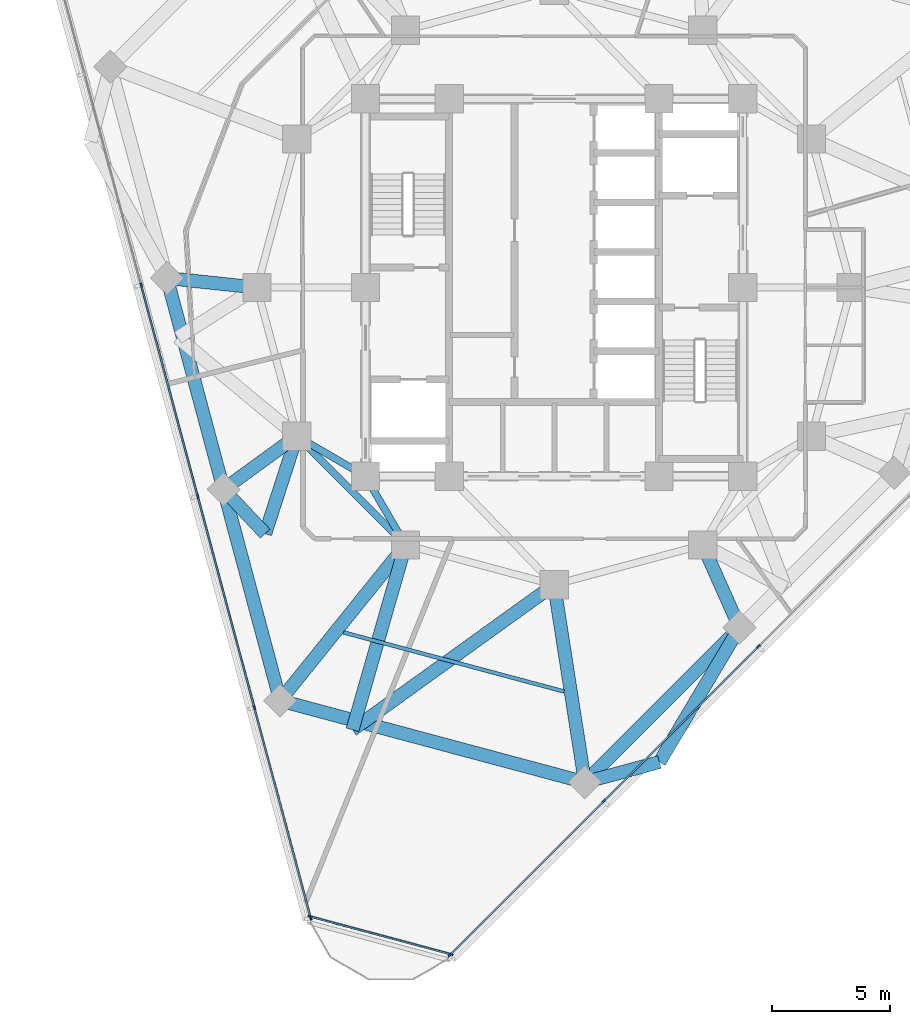
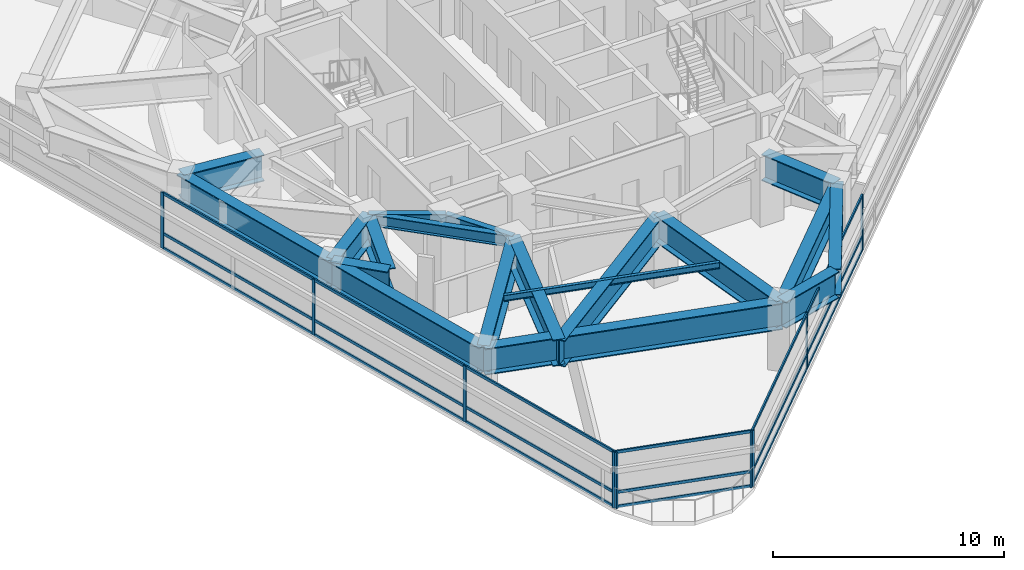
# One storey, part 2 of 15: 27 members, 19 beams, 3 elements without a shape of their own.
"""IFC4 building model written with IfcOpenShell, lengths in metres."""

from ifc_helpers import new_model, si_unit, direction, frame, origin, origin_2d, place, context, subcontext, project, spatial, rectangle, i_section, extrude, material, layer, layer_set, material_profile, profile_set, type_object, element, aggregate, save


model = new_model("IFC4")

# Units and contexts
model_context = context("Model", 3, precision=1e-05, world=origin(), true_north=direction((0.0, 1.0)))
body_context = subcontext(model_context, "Body", "Model", "MODEL_VIEW")
ifc_project = project(units=[si_unit("LENGTHUNIT", "METRE"), si_unit("AREAUNIT", "SQUARE_METRE"), si_unit("VOLUMEUNIT", "CUBIC_METRE"), si_unit("PLANEANGLEUNIT", "RADIAN"), si_unit("MASSUNIT", "GRAM", prefix="KILO")], contexts=[model_context])

# Site, building, storey
site_placement = place(None, origin())
site = spatial("IfcSite", under=ifc_project, at=site_placement, CompositionType="ELEMENT")
building_placement = place(site_placement, origin())
building = spatial("IfcBuilding", under=site, at=building_placement, Name="Terralouvre Media Tower", CompositionType="ELEMENT")
storey_placement = place(building_placement, frame((0.0, 0.0, 210.10009765625)))
storey = spatial("IfcBuildingStorey", under=building, at=storey_placement, Name="L54", CompositionType="ELEMENT", Elevation=210.10009765625)

# Beam
ifc_material_1 = material(Name="Structural steel S355J2", Category="steel")
ifc_material_profile_1 = material_profile(ifc_material_1, i_section(OverallWidth=0.159912109375, OverallDepth=0.330078125, WebThickness=0.007568359375, FlangeThickness=0.011474609375, at=origin_2d()), Name="IPE 330")
ifc_profile_set_1 = profile_set([ifc_material_profile_1], Name="Structural steel S355J2")
beam_type_1 = type_object("IfcBeamType", Name="Composite Floor Joist J-IPE330 (IPE 330)", PredefinedType="JOIST", material=ifc_profile_set_1)
beam_1_placement = place(storey_placement, frame((-8.930419921875, -14.620361328125, 3.294921875), z_axis=(0.965928809272, -0.258807912201, 0.0), x_axis=(0.258807912201, 0.965928809272, 0.0)))
element("IfcBeam", 1, at=beam_1_placement, inside=storey, type_object=beam_type_1, Name="L54 Framing Beam JT-L54-01", PredefinedType="JOIST", context=body_context, shape_type="SweptSolid", body=[
    extrude(i_section(OverallWidth=0.159912109375, OverallDepth=0.330078125, WebThickness=0.007568359375, FlangeThickness=0.011474609375, at=origin_2d()), origin(), (0.0, 0.0, 1.0), 9.68408203125),
])

# Curtain wall, members
ifc_material_2 = material(Name="Low-iron laminated double glazing with solar-control coating", Category="glass")
ifc_layer_1 = layer(ifc_material_2, 0.1650390625, Name="Production Studio Tower Curtain Wall CW-03")
ifc_layer_set_1 = layer_set([ifc_layer_1], Name="Low-iron laminated double glazing with solar-control coating")
curtain_wall_type_1 = type_object("IfcCurtainWallType", Name="Production Studio Tower Curtain Wall CW-03", PredefinedType="NOTDEFINED", material=ifc_layer_set_1)
curtain_wall_1_placement = place(storey_placement, origin())
curtain_wall_1 = element("IfcCurtainWall", 2, at=curtain_wall_1_placement, inside=storey, type_object=curtain_wall_type_1, Name="L54 Facade Curtain Wall F0", PredefinedType="NOTDEFINED")
ifc_material_3 = material(Name="Anodised extruded aluminium 6063-T6", Category="aluminium")
ifc_material_profile_2 = material_profile(ifc_material_3, rectangle(XDim=0.074951171875, YDim=0.14990234375, at=origin_2d()), Name="ALU 75x150")
ifc_profile_set_2 = profile_set([ifc_material_profile_2], Name="Anodised extruded aluminium 6063-T6")
member_type_1 = type_object("IfcMemberType", Name="Curtain-Wall Horizontal Transom TR-150", PredefinedType="USERDEFINED", material=ifc_profile_set_2)
member_1_placement = place(storey_placement, frame((-4.399658203125, -28.27587890625, 0.037353515625), z_axis=(0.707106781187, 0.707106781187, 0.0), x_axis=(-0.707106781187, 0.707106781187, 0.0)))
member_1 = element("IfcMember", 3, at=member_1_placement, type_object=member_type_1, Name="CW-03 transom 1.1", ObjectType="TRANSOM", PredefinedType="USERDEFINED", context=body_context, shape_type="SweptSolid", body=[
    extrude(rectangle(XDim=0.074951171875, YDim=0.14990234375, at=origin_2d()), origin(), (0.0, 0.0, 1.0), 9.15966796875),
])
member_2_placement = place(storey_placement, frame((-4.399658203125, -28.27587890625, 0.7998046875), z_axis=(0.707106781187, 0.707106781187, 0.0), x_axis=(-0.707106781187, 0.707106781187, 0.0)))
member_2 = element("IfcMember", 4, at=member_2_placement, type_object=member_type_1, Name="CW-03 transom 1.2", ObjectType="TRANSOM", PredefinedType="USERDEFINED", context=body_context, shape_type="SweptSolid", body=[
    extrude(rectangle(XDim=0.074951171875, YDim=0.14990234375, at=origin_2d()), origin(), (0.0, 0.0, 1.0), 9.15966796875),
])
member_3_placement = place(storey_placement, frame((-4.399658203125, -28.27587890625, 2.92236328125), z_axis=(0.707106781187, 0.707106781187, 0.0), x_axis=(-0.707106781187, 0.707106781187, 0.0)))
member_3 = element("IfcMember", 5, at=member_3_placement, type_object=member_type_1, Name="CW-03 transom 1.3", ObjectType="TRANSOM", PredefinedType="USERDEFINED", context=body_context, shape_type="SweptSolid", body=[
    extrude(rectangle(XDim=0.074951171875, YDim=0.14990234375, at=origin_2d()), origin(), (0.0, 0.0, 1.0), 9.15966796875),
])
member_4_placement = place(storey_placement, frame((2.130126953125, -21.74609375, 0.037353515625), z_axis=(0.707093508293, 0.707120053831, 0.0), x_axis=(-0.707120053831, 0.707093508293, 0.0)))
member_4 = element("IfcMember", 6, at=member_4_placement, type_object=member_type_1, Name="CW-03 transom 2.1", ObjectType="TRANSOM", PredefinedType="USERDEFINED", context=body_context, shape_type="SweptSolid", body=[
    extrude(rectangle(XDim=0.074951171875, YDim=0.14990234375, at=origin_2d()), origin(), (0.0, 0.0, 1.0), 9.197021484375),
])
member_5_placement = place(storey_placement, frame((2.130126953125, -21.74609375, 0.7998046875), z_axis=(0.707093508293, 0.707120053831, 0.0), x_axis=(-0.707120053831, 0.707093508293, 0.0)))
member_5 = element("IfcMember", 7, at=member_5_placement, type_object=member_type_1, Name="CW-03 transom 2.2", ObjectType="TRANSOM", PredefinedType="USERDEFINED", context=body_context, shape_type="SweptSolid", body=[
    extrude(rectangle(XDim=0.074951171875, YDim=0.14990234375, at=origin_2d()), origin(), (0.0, 0.0, 1.0), 9.197021484375),
])
member_6_placement = place(storey_placement, frame((2.130126953125, -21.74609375, 2.92236328125), z_axis=(0.707093508293, 0.707120053831, 0.0), x_axis=(-0.707120053831, 0.707093508293, 0.0)))
member_6 = element("IfcMember", 8, at=member_6_placement, type_object=member_type_1, Name="CW-03 transom 2.3", ObjectType="TRANSOM", PredefinedType="USERDEFINED", context=body_context, shape_type="SweptSolid", body=[
    extrude(rectangle(XDim=0.074951171875, YDim=0.14990234375, at=origin_2d()), origin(), (0.0, 0.0, 1.0), 9.197021484375),
])

curtain_wall_2_placement = place(storey_placement, origin())
curtain_wall_2 = element("IfcCurtainWall", 9, at=curtain_wall_2_placement, inside=storey, type_object=curtain_wall_type_1, Name="L54 Facade Curtain Wall F2", PredefinedType="NOTDEFINED")
member_7_placement = place(storey_placement, frame((-17.497802734375, 0.072265625, 0.037353515625), z_axis=(0.25881569625, -0.965926723605, 0.0), x_axis=(0.965926723605, 0.25881569625, 0.0)))
member_7 = element("IfcMember", 10, at=member_7_placement, type_object=member_type_1, Name="CW-03 transom 3.1", ObjectType="TRANSOM", PredefinedType="USERDEFINED", context=body_context, shape_type="SweptSolid", body=[
    extrude(rectangle(XDim=0.074951171875, YDim=0.14990234375, at=origin_2d()), origin(), (0.0, 0.0, 1.0), 9.197265625),
])
member_8_placement = place(storey_placement, frame((-17.497802734375, 0.072265625, 0.7998046875), z_axis=(0.25881569625, -0.965926723605, 0.0), x_axis=(0.965926723605, 0.25881569625, 0.0)))
member_8 = element("IfcMember", 11, at=member_8_placement, type_object=member_type_1, Name="CW-03 transom 3.2", ObjectType="TRANSOM", PredefinedType="USERDEFINED", context=body_context, shape_type="SweptSolid", body=[
    extrude(rectangle(XDim=0.074951171875, YDim=0.14990234375, at=origin_2d()), origin(), (0.0, 0.0, 1.0), 9.197265625),
])
member_9_placement = place(storey_placement, frame((-17.497802734375, 0.072265625, 2.92236328125), z_axis=(0.25881569625, -0.965926723605, 0.0), x_axis=(0.965926723605, 0.25881569625, 0.0)))
member_9 = element("IfcMember", 12, at=member_9_placement, type_object=member_type_1, Name="CW-03 transom 3.3", ObjectType="TRANSOM", PredefinedType="USERDEFINED", context=body_context, shape_type="SweptSolid", body=[
    extrude(rectangle(XDim=0.074951171875, YDim=0.14990234375, at=origin_2d()), origin(), (0.0, 0.0, 1.0), 9.197265625),
])
member_10_placement = place(storey_placement, frame((-15.09814453125, -8.8837890625, 0.037353515625), z_axis=(0.25881569625, -0.965926723605, 0.0), x_axis=(0.965926723605, 0.25881569625, 0.0)))
member_10 = element("IfcMember", 13, at=member_10_placement, type_object=member_type_1, Name="CW-03 transom 4.1", ObjectType="TRANSOM", PredefinedType="USERDEFINED", context=body_context, shape_type="SweptSolid", body=[
    extrude(rectangle(XDim=0.074951171875, YDim=0.14990234375, at=origin_2d()), origin(), (0.0, 0.0, 1.0), 9.197265625),
])
member_11_placement = place(storey_placement, frame((-15.09814453125, -8.8837890625, 0.7998046875), z_axis=(0.25881569625, -0.965926723605, 0.0), x_axis=(0.965926723605, 0.25881569625, 0.0)))
member_11 = element("IfcMember", 14, at=member_11_placement, type_object=member_type_1, Name="CW-03 transom 4.2", ObjectType="TRANSOM", PredefinedType="USERDEFINED", context=body_context, shape_type="SweptSolid", body=[
    extrude(rectangle(XDim=0.074951171875, YDim=0.14990234375, at=origin_2d()), origin(), (0.0, 0.0, 1.0), 9.197265625),
])
member_12_placement = place(storey_placement, frame((-15.09814453125, -8.8837890625, 2.92236328125), z_axis=(0.25881569625, -0.965926723605, 0.0), x_axis=(0.965926723605, 0.25881569625, 0.0)))
member_12 = element("IfcMember", 15, at=member_12_placement, type_object=member_type_1, Name="CW-03 transom 4.3", ObjectType="TRANSOM", PredefinedType="USERDEFINED", context=body_context, shape_type="SweptSolid", body=[
    extrude(rectangle(XDim=0.074951171875, YDim=0.14990234375, at=origin_2d()), origin(), (0.0, 0.0, 1.0), 9.197265625),
])
member_13_placement = place(storey_placement, frame((-12.6982421875, -17.83984375, 0.037353515625), z_axis=(0.25881380313, -0.965927230856, 0.0), x_axis=(0.965927230856, 0.25881380313, 0.0)))
member_13 = element("IfcMember", 16, at=member_13_placement, type_object=member_type_1, Name="CW-03 transom 5.1", ObjectType="TRANSOM", PredefinedType="USERDEFINED", context=body_context, shape_type="SweptSolid", body=[
    extrude(rectangle(XDim=0.074951171875, YDim=0.14990234375, at=origin_2d()), origin(), (0.0, 0.0, 1.0), 9.159423828125),
])
member_14_placement = place(storey_placement, frame((-12.6982421875, -17.83984375, 0.7998046875), z_axis=(0.25881380313, -0.965927230856, 0.0), x_axis=(0.965927230856, 0.25881380313, 0.0)))
member_14 = element("IfcMember", 17, at=member_14_placement, type_object=member_type_1, Name="CW-03 transom 5.2", ObjectType="TRANSOM", PredefinedType="USERDEFINED", context=body_context, shape_type="SweptSolid", body=[
    extrude(rectangle(XDim=0.074951171875, YDim=0.14990234375, at=origin_2d()), origin(), (0.0, 0.0, 1.0), 9.159423828125),
])
member_15_placement = place(storey_placement, frame((-12.6982421875, -17.83984375, 2.92236328125), z_axis=(0.25881380313, -0.965927230856, 0.0), x_axis=(0.965927230856, 0.25881380313, 0.0)))
member_15 = element("IfcMember", 18, at=member_15_placement, type_object=member_type_1, Name="CW-03 transom 5.3", ObjectType="TRANSOM", PredefinedType="USERDEFINED", context=body_context, shape_type="SweptSolid", body=[
    extrude(rectangle(XDim=0.074951171875, YDim=0.14990234375, at=origin_2d()), origin(), (0.0, 0.0, 1.0), 9.159423828125),
])

ifc_material_4 = material(Name="Low-iron laminated double glazing with solar-control coating", Category="glass")
ifc_layer_2 = layer(ifc_material_4, 0.1650390625, Name="Rounded Wind-Corner Curved Glazing CW-04")
ifc_layer_set_2 = layer_set([ifc_layer_2], Name="Low-iron laminated double glazing with solar-control coating")
curtain_wall_type_2 = type_object("IfcCurtainWallType", Name="Rounded Wind-Corner Curved Glazing CW-04", PredefinedType="NOTDEFINED", material=ifc_layer_set_2)
curtain_wall_3_placement = place(storey_placement, origin())
curtain_wall_3 = element("IfcCurtainWall", 19, at=curtain_wall_3_placement, inside=storey, type_object=curtain_wall_type_2, Name="L54 Rounded Wind-Corner Curtain Wall C0", PredefinedType="NOTDEFINED")
member_16_placement = place(storey_placement, frame((-10.3154296875, -26.675048828125, 0.037353515625), z_axis=(0.965924368155, -0.25882448687, 0.0), x_axis=(0.25882448687, 0.965924368155, 0.0)))
member_16 = element("IfcMember", 20, at=member_16_placement, type_object=member_type_1, Name="CW-04 transom 1.1", ObjectType="TRANSOM", PredefinedType="USERDEFINED", context=body_context, shape_type="SweptSolid", body=[
    extrude(rectangle(XDim=0.074951171875, YDim=0.14990234375, at=origin_2d()), origin(), (0.0, 0.0, 1.0), 6.119873046875),
])
member_17_placement = place(storey_placement, frame((-10.3154296875, -26.675048828125, 0.7998046875), z_axis=(0.965924368155, -0.25882448687, 0.0), x_axis=(0.25882448687, 0.965924368155, 0.0)))
member_17 = element("IfcMember", 21, at=member_17_placement, type_object=member_type_1, Name="CW-04 transom 1.2", ObjectType="TRANSOM", PredefinedType="USERDEFINED", context=body_context, shape_type="SweptSolid", body=[
    extrude(rectangle(XDim=0.074951171875, YDim=0.14990234375, at=origin_2d()), origin(), (0.0, 0.0, 1.0), 6.119873046875),
])
member_18_placement = place(storey_placement, frame((-10.3154296875, -26.675048828125, 2.92236328125), z_axis=(0.965924368155, -0.25882448687, 0.0), x_axis=(0.25882448687, 0.965924368155, 0.0)))
member_18 = element("IfcMember", 22, at=member_18_placement, type_object=member_type_1, Name="CW-04 transom 1.3", ObjectType="TRANSOM", PredefinedType="USERDEFINED", context=body_context, shape_type="SweptSolid", body=[
    extrude(rectangle(XDim=0.074951171875, YDim=0.14990234375, at=origin_2d()), origin(), (0.0, 0.0, 1.0), 6.119873046875),
])

# Member
ifc_material_5 = material(Name="Anodised extruded aluminium 6063-T6", Category="aluminium")
ifc_material_profile_3 = material_profile(ifc_material_5, rectangle(XDim=0.074951171875, YDim=0.179931640625, at=origin_2d()), Name="ALU 75x180")
ifc_profile_set_3 = profile_set([ifc_material_profile_3], Name="Anodised extruded aluminium 6063-T6")
member_type_2 = type_object("IfcMemberType", Name="Curtain-Wall Vertical Mullion ML-180", PredefinedType="MULLION", material=ifc_profile_set_3)
member_19_placement = place(storey_placement, frame((-4.42626953125, -28.30224609375, 0.0), z_axis=(0.0, 0.0, 1.0), x_axis=(-0.707106781187, 0.707106781187, 0.0)))
member_19 = element("IfcMember", 23, at=member_19_placement, type_object=member_type_2, Name="CW-03 mullion 1", PredefinedType="MULLION", context=body_context, shape_type="SweptSolid", body=[
    extrude(rectangle(XDim=0.074951171875, YDim=0.179931640625, at=origin_2d()), origin(), (0.0, 0.0, 1.0), 2.9599609375),
])

member_20_placement = place(storey_placement, frame((2.103515625, -21.7724609375, 0.0), z_axis=(0.0, 0.0, 1.0), x_axis=(-0.707106781187, 0.707106781187, 0.0)))
member_20 = element("IfcMember", 24, at=member_20_placement, type_object=member_type_2, Name="CW-03 mullion 2", PredefinedType="MULLION", context=body_context, shape_type="SweptSolid", body=[
    extrude(rectangle(XDim=0.074951171875, YDim=0.179931640625, at=origin_2d()), origin(), (0.0, 0.0, 1.0), 2.9599609375),
])

member_21_placement = place(storey_placement, frame((8.659912109375, -15.21630859375, 0.0), z_axis=(0.0, 0.0, 1.0), x_axis=(-0.707106781187, 0.707106781187, 0.0)))
member_21 = element("IfcMember", 25, at=member_21_placement, type_object=member_type_2, Name="CW-03 mullion 3", PredefinedType="MULLION", context=body_context, shape_type="SweptSolid", body=[
    extrude(rectangle(XDim=0.074951171875, YDim=0.179931640625, at=origin_2d()), origin(), (0.0, 0.0, 1.0), 2.9599609375),
])

aggregate(curtain_wall_1, [member_19, member_20, member_21, member_1, member_2, member_3, member_4, member_5, member_6])

member_22_placement = place(storey_placement, frame((-17.507568359375, 0.1083984375, 0.0), z_axis=(0.0, 0.0, 1.0), x_axis=(0.96592582942, 0.25881903342, 0.0)))
member_22 = element("IfcMember", 26, at=member_22_placement, type_object=member_type_2, Name="CW-03 mullion 3", PredefinedType="MULLION", context=body_context, shape_type="SweptSolid", body=[
    extrude(rectangle(XDim=0.074951171875, YDim=0.179931640625, at=origin_2d()), origin(), (0.0, 0.0, 1.0), 2.9599609375),
])

member_23_placement = place(storey_placement, frame((-15.10791015625, -8.84765625, 0.0), z_axis=(0.0, 0.0, 1.0), x_axis=(0.96592582942, 0.25881903342, 0.0)))
member_23 = element("IfcMember", 27, at=member_23_placement, type_object=member_type_2, Name="CW-03 mullion 4", PredefinedType="MULLION", context=body_context, shape_type="SweptSolid", body=[
    extrude(rectangle(XDim=0.074951171875, YDim=0.179931640625, at=origin_2d()), origin(), (0.0, 0.0, 1.0), 2.9599609375),
])

member_24_placement = place(storey_placement, frame((-12.7080078125, -17.8037109375, 0.0), z_axis=(0.0, 0.0, 1.0), x_axis=(0.96592582942, 0.25881903342, 0.0)))
member_24 = element("IfcMember", 28, at=member_24_placement, type_object=member_type_2, Name="CW-03 mullion 5", PredefinedType="MULLION", context=body_context, shape_type="SweptSolid", body=[
    extrude(rectangle(XDim=0.074951171875, YDim=0.179931640625, at=origin_2d()), origin(), (0.0, 0.0, 1.0), 2.9599609375),
])

member_25_placement = place(storey_placement, frame((-10.31787109375, -26.7236328125, 0.0), z_axis=(0.0, 0.0, 1.0), x_axis=(0.96592582942, 0.25881903342, 0.0)))
member_25 = element("IfcMember", 29, at=member_25_placement, type_object=member_type_2, Name="CW-03 mullion 6", PredefinedType="MULLION", context=body_context, shape_type="SweptSolid", body=[
    extrude(rectangle(XDim=0.074951171875, YDim=0.179931640625, at=origin_2d()), origin(), (0.0, 0.0, 1.0), 2.9599609375),
])

aggregate(curtain_wall_2, [member_22, member_23, member_24, member_25, member_7, member_8, member_9, member_10, member_11, member_12, member_13, member_14, member_15])

member_26_placement = place(storey_placement, frame((-10.351806640625, -26.665283203125, 0.0), z_axis=(0.0, 0.0, 1.0), x_axis=(0.258818728144, 0.965925911218, 0.0)))
member_26 = element("IfcMember", 30, at=member_26_placement, type_object=member_type_2, Name="CW-04 mullion 1", PredefinedType="MULLION", context=body_context, shape_type="SweptSolid", body=[
    extrude(rectangle(XDim=0.074951171875, YDim=0.179931640625, at=origin_2d()), origin(), (0.0, 0.0, 1.0), 2.9599609375),
])

member_27_placement = place(storey_placement, frame((-4.367919921875, -28.268798828125, 0.0), z_axis=(0.0, 0.0, 1.0), x_axis=(0.258818728144, 0.965925911218, 0.0)))
member_27 = element("IfcMember", 31, at=member_27_placement, type_object=member_type_2, Name="CW-04 mullion 2", PredefinedType="MULLION", context=body_context, shape_type="SweptSolid", body=[
    extrude(rectangle(XDim=0.074951171875, YDim=0.179931640625, at=origin_2d()), origin(), (0.0, 0.0, 1.0), 2.9599609375),
])

aggregate(curtain_wall_3, [member_26, member_27, member_16, member_17, member_18])

# Beams
ifc_material_6 = material(Name="Structural steel S460M", Category="steel")
ifc_material_profile_4 = material_profile(ifc_material_6, i_section(OverallWidth=0.300048828125, OverallDepth=0.60009765625, WebThickness=0.015380859375, FlangeThickness=0.030029296875, at=origin_2d()), Name="HEB 600")
ifc_profile_set_4 = profile_set([ifc_material_profile_4], Name="Structural steel S460M")
beam_type_2 = type_object("IfcBeamType", Name="Primary Floor Girder B-HEB600 (HEB 600)", PredefinedType="BEAM", material=ifc_profile_set_4)
beam_2_placement = place(storey_placement, frame((-10.911865234375, -6.300048828125, 3.159912109375), z_axis=(0.707106781187, -0.707106781187, 0.0), x_axis=(0.707106781187, 0.707106781187, 0.0)))
element("IfcBeam", 32, at=beam_2_placement, inside=storey, type_object=beam_type_2, Name="L54 Framing Beam BM-L54-MR01", PredefinedType="BEAM", context=body_context, shape_type="SweptSolid", body=[
    extrude(i_section(OverallWidth=0.300048828125, OverallDepth=0.60009765625, WebThickness=0.015380859375, FlangeThickness=0.030029296875, at=origin_2d()), origin(), (0.0, 0.0, 1.0), 6.52197265625),
])
for number, where, z_axis, x_axis, name in (
    (33, (-8.0, -8.0, 3.159912109375), (-0.863602894532, 0.504172629717, 0.0), (-0.504172629717, -0.863602894532, 0.0), "L54 Framing Beam BM-L54-CM01"),
    (34, (-8.0, -8.0, 3.159912109375), (0.504172629717, -0.863602894532, 0.0), (0.863602894532, 0.504172629717, 0.0), "L54 Framing Beam BM-L54-CM02"),
):
    element("IfcBeam", number, at=place(storey_placement, frame(where, z_axis=z_axis, x_axis=x_axis)), inside=storey, type_object=beam_type_2, Name=name, PredefinedType="BEAM", context=body_context, shape_type="SweptSolid", body=[
        extrude(i_section(OverallWidth=0.300048828125, OverallDepth=0.60009765625, WebThickness=0.015380859375, FlangeThickness=0.030029296875, at=origin_2d()), origin(), (0.0, 0.0, 1.0), 3.371826171875),
    ])
ifc_material_7 = material(Name="Structural steel S460M", Category="steel")
ifc_material_profile_5 = material_profile(ifc_material_7, i_section(OverallWidth=0.56005859375, OverallDepth=1.39990234375, WebThickness=0.031982421875, FlangeThickness=0.050048828125, at=origin_2d()), Name="TG 1400x560")
ifc_profile_set_5 = profile_set([ifc_material_profile_5], Name="Structural steel S460M")
beam_type_3 = type_object("IfcBeamType", Name="Welded Transfer Girder TG-1400 (TG 1400x560)", PredefinedType="USERDEFINED", material=ifc_profile_set_5)
beam_3_placement = place(storey_placement, frame((-14.016357421875, -8.55517578125, 2.760009765625), z_axis=(0.258832601786, -0.965922193685, 0.0), x_axis=(0.965922193685, 0.258832601786, 0.0)))
element("IfcBeam", 35, at=beam_3_placement, inside=storey, type_object=beam_type_3, Name="L54 Framing Beam BM-L54-PR01", ObjectType="TRANSFER GIRDER", PredefinedType="USERDEFINED", context=body_context, shape_type="SweptSolid", body=[
    extrude(i_section(OverallWidth=0.56005859375, OverallDepth=1.39990234375, WebThickness=0.031982421875, FlangeThickness=0.050048828125, at=origin_2d()), origin(), (0.0, 0.0, 1.0), 9.27197265625),
])
beam_4_placement = place(storey_placement, frame((-11.616455078125, -17.51123046875, 2.760009765625), z_axis=(0.965926789058, -0.258815451972, 0.0), x_axis=(0.258815451972, 0.965926789058, 0.0)))
element("IfcBeam", 36, at=beam_4_placement, inside=storey, type_object=beam_type_3, Name="L54 Framing Beam BM-L54-PR02", ObjectType="TRANSFER GIRDER", PredefinedType="USERDEFINED", context=body_context, shape_type="SweptSolid", body=[
    extrude(i_section(OverallWidth=0.56005859375, OverallDepth=1.39990234375, WebThickness=0.031982421875, FlangeThickness=0.050048828125, at=origin_2d()), origin(), (0.0, 0.0, 1.0), 13.376953125),
])
beam_5_placement = place(storey_placement, frame((1.3046875, -20.973388671875, 2.760009765625), z_axis=(0.707106781187, 0.707106781187, 0.0), x_axis=(-0.707106781187, 0.707106781187, 0.0)))
element("IfcBeam", 37, at=beam_5_placement, inside=storey, type_object=beam_type_3, Name="L54 Framing Beam BM-L54-PR03", ObjectType="TRANSFER GIRDER", PredefinedType="USERDEFINED", context=body_context, shape_type="SweptSolid", body=[
    extrude(i_section(OverallWidth=0.56005859375, OverallDepth=1.39990234375, WebThickness=0.031982421875, FlangeThickness=0.050048828125, at=origin_2d()), origin(), (0.0, 0.0, 1.0), 9.271728515625),
])
beam_6_placement = place(storey_placement, frame((-16.416015625, 0.40087890625, 2.760009765625), z_axis=(0.258808034669, -0.965928776458, 0.0), x_axis=(0.965928776458, 0.258808034669, 0.0)))
element("IfcBeam", 38, at=beam_6_placement, inside=storey, type_object=beam_type_3, Name="L54 Framing Beam BM-L54-PR12", ObjectType="TRANSFER GIRDER", PredefinedType="USERDEFINED", context=body_context, shape_type="SweptSolid", body=[
    extrude(i_section(OverallWidth=0.56005859375, OverallDepth=1.39990234375, WebThickness=0.031982421875, FlangeThickness=0.050048828125, at=origin_2d()), origin(), (0.0, 0.0, 1.0), 9.27197265625),
])
beam_7_placement = place(storey_placement, frame((-10.911865234375, -6.300048828125, 2.760009765625), z_axis=(-0.809068873767, -0.587713839807, 0.0), x_axis=(0.587713839807, -0.809068873767, 0.0)))
element("IfcBeam", 39, at=beam_7_placement, inside=storey, type_object=beam_type_3, Name="L54 Framing Beam BM-L54-RD01", ObjectType="TRANSFER GIRDER", PredefinedType="USERDEFINED", context=body_context, shape_type="SweptSolid", body=[
    extrude(i_section(OverallWidth=0.56005859375, OverallDepth=1.39990234375, WebThickness=0.031982421875, FlangeThickness=0.050048828125, at=origin_2d()), origin(), (0.0, 0.0, 1.0), 3.837158203125),
])
for number, where, z_axis, x_axis, name in (
    (40, (-6.300048828125, -10.911865234375, 2.760009765625), (-0.62734749454, -0.778739443649, 0.0), (0.778739443649, -0.62734749454, 0.0), "L54 Framing Beam BM-L54-RD02"),
    (41, (0.0, -12.60009765625, 2.760009765625), (0.153957660154, -0.988077445791, 0.0), (0.988077445791, 0.153957660154, 0.0), "L54 Framing Beam BM-L54-RD03"),
):
    element("IfcBeam", number, at=place(storey_placement, frame(where, z_axis=z_axis, x_axis=x_axis)), inside=storey, type_object=beam_type_3, Name=name, ObjectType="TRANSFER GIRDER", PredefinedType="USERDEFINED", context=body_context, shape_type="SweptSolid", body=[
        extrude(i_section(OverallWidth=0.56005859375, OverallDepth=1.39990234375, WebThickness=0.031982421875, FlangeThickness=0.050048828125, at=origin_2d()), origin(), (0.0, 0.0, 1.0), 8.474365234375),
    ])
beam_8_placement = place(storey_placement, frame((6.300048828125, -10.911865234375, 2.760009765625), z_axis=(0.406758229915, -0.913535846257, 0.0), x_axis=(0.913535846257, 0.406758229915, 0.0)))
element("IfcBeam", 42, at=beam_8_placement, inside=storey, type_object=beam_type_3, Name="L54 Framing Beam BM-L54-RD04", ObjectType="TRANSFER GIRDER", PredefinedType="USERDEFINED", context=body_context, shape_type="SweptSolid", body=[
    extrude(i_section(OverallWidth=0.56005859375, OverallDepth=1.39990234375, WebThickness=0.031982421875, FlangeThickness=0.050048828125, at=origin_2d()), origin(), (0.0, 0.0, 1.0), 3.837158203125),
])
beam_9_placement = place(storey_placement, frame((-12.60009765625, 0.0, 2.760009765625), z_axis=(-0.994527048272, 0.104479425033, 0.0), x_axis=(-0.104479425033, -0.994527048272, 0.0)))
element("IfcBeam", 43, at=beam_9_placement, inside=storey, type_object=beam_type_3, Name="L54 Framing Beam BM-L54-RD12", ObjectType="TRANSFER GIRDER", PredefinedType="USERDEFINED", context=body_context, shape_type="SweptSolid", body=[
    extrude(i_section(OverallWidth=0.56005859375, OverallDepth=1.39990234375, WebThickness=0.031982421875, FlangeThickness=0.050048828125, at=origin_2d()), origin(), (0.0, 0.0, 1.0), 3.8369140625),
])
beam_10_placement = place(storey_placement, frame((4.463623046875, -20.115478515625, 2.760009765625), z_axis=(-0.96504382382, -0.262088569202, 0.0), x_axis=(0.262088569202, -0.96504382382, 0.0)))
element("IfcBeam", 44, at=beam_10_placement, inside=storey, type_object=beam_type_3, Name="L54 Framing Beam BM-L54-TR01S1", ObjectType="TRANSFER GIRDER", PredefinedType="USERDEFINED", context=body_context, shape_type="SweptSolid", body=[
    extrude(i_section(OverallWidth=0.56005859375, OverallDepth=1.39990234375, WebThickness=0.031982421875, FlangeThickness=0.050048828125, at=origin_2d()), origin(), (0.0, 0.0, 1.0), 3.2734375),
])
beam_11_placement = place(storey_placement, frame((4.463623046875, -20.115478515625, 2.760009765625), z_axis=(0.512085427843, 0.858934522878, 0.0), x_axis=(-0.858934522878, 0.512085427843, 0.0)))
element("IfcBeam", 45, at=beam_11_placement, inside=storey, type_object=beam_type_3, Name="L54 Framing Beam BM-L54-TR01S2", ObjectType="TRANSFER GIRDER", PredefinedType="USERDEFINED", context=body_context, shape_type="SweptSolid", body=[
    extrude(i_section(OverallWidth=0.56005859375, OverallDepth=1.39990234375, WebThickness=0.031982421875, FlangeThickness=0.050048828125, at=origin_2d()), origin(), (0.0, 0.0, 1.0), 6.634033203125),
])
beam_12_placement = place(storey_placement, frame((-12.249755859375, -10.4345703125, 2.760009765625), z_axis=(-0.684903978656, 0.72863333716, 0.0), x_axis=(-0.72863333716, -0.684903978656, 0.0)))
element("IfcBeam", 46, at=beam_12_placement, inside=storey, type_object=beam_type_3, Name="L54 Framing Beam BM-L54-TR11S1", ObjectType="TRANSFER GIRDER", PredefinedType="USERDEFINED", context=body_context, shape_type="SweptSolid", body=[
    extrude(i_section(OverallWidth=0.56005859375, OverallDepth=1.39990234375, WebThickness=0.031982421875, FlangeThickness=0.050048828125, at=origin_2d()), origin(), (0.0, 0.0, 1.0), 2.579345703125),
])
beam_13_placement = place(storey_placement, frame((-12.249755859375, -10.4345703125, 2.760009765625), z_axis=(0.307872638555, 0.951427579183, 0.0), x_axis=(-0.951427579183, 0.307872638555, 0.0)))
element("IfcBeam", 47, at=beam_13_placement, inside=storey, type_object=beam_type_3, Name="L54 Framing Beam BM-L54-TR11S2", ObjectType="TRANSFER GIRDER", PredefinedType="USERDEFINED", context=body_context, shape_type="SweptSolid", body=[
    extrude(i_section(OverallWidth=0.56005859375, OverallDepth=1.39990234375, WebThickness=0.031982421875, FlangeThickness=0.050048828125, at=origin_2d()), origin(), (0.0, 0.0, 1.0), 4.345703125),
])
beam_14_placement = place(storey_placement, frame((-8.54833984375, -18.747802734375, 2.760009765625), z_axis=(0.275792876342, 0.96121708753, 0.0), x_axis=(-0.96121708753, 0.275792876342, 0.0)))
element("IfcBeam", 48, at=beam_14_placement, inside=storey, type_object=beam_type_3, Name="L54 Framing Beam BM-L54-TR12S1", ObjectType="TRANSFER GIRDER", PredefinedType="USERDEFINED", context=body_context, shape_type="SweptSolid", body=[
    extrude(i_section(OverallWidth=0.56005859375, OverallDepth=1.39990234375, WebThickness=0.031982421875, FlangeThickness=0.050048828125, at=origin_2d()), origin(), (0.0, 0.0, 1.0), 8.152099609375),
])
beam_15_placement = place(storey_placement, frame((-8.54833984375, -18.747802734375, 2.760009765625), z_axis=(0.811853945169, 0.583860575578, 0.0), x_axis=(-0.583860575578, 0.811853945169, 0.0)))
element("IfcBeam", 49, at=beam_15_placement, inside=storey, type_object=beam_type_3, Name="L54 Framing Beam BM-L54-TR12S2", ObjectType="TRANSFER GIRDER", PredefinedType="USERDEFINED", context=body_context, shape_type="SweptSolid", body=[
    extrude(i_section(OverallWidth=0.56005859375, OverallDepth=1.39990234375, WebThickness=0.031982421875, FlangeThickness=0.050048828125, at=origin_2d()), origin(), (0.0, 0.0, 1.0), 10.529296875),
])

save(model, "model.ifc")
